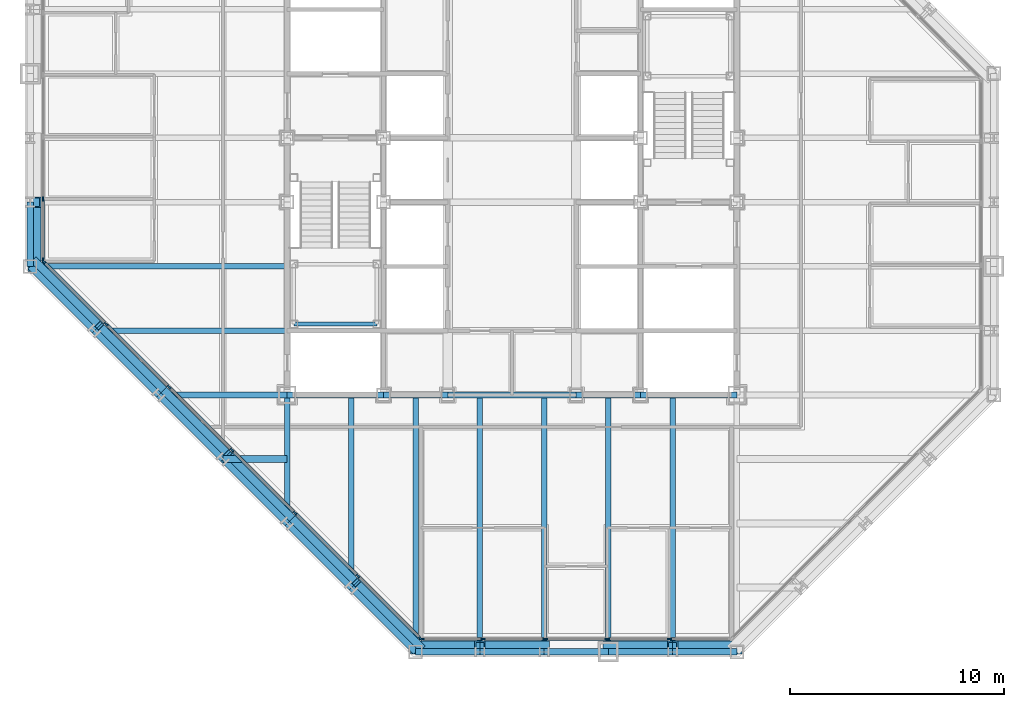
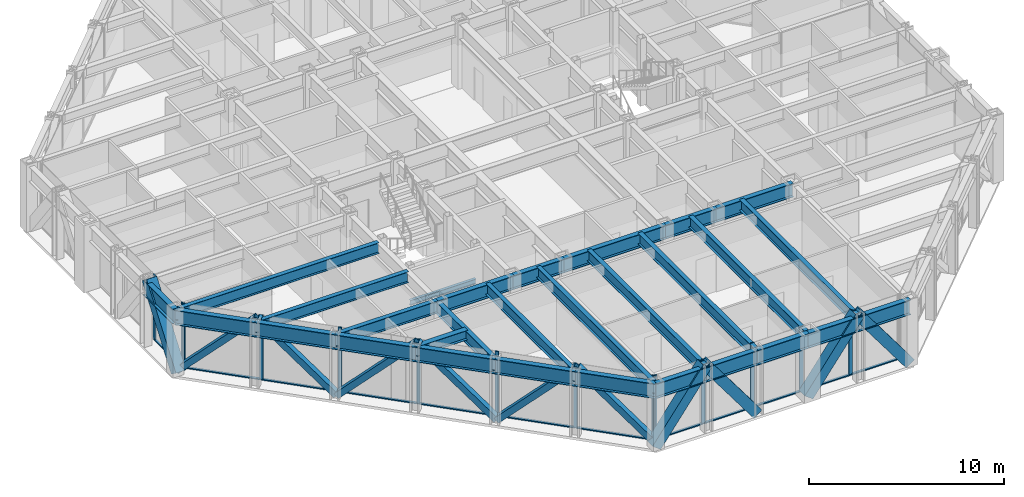
# One storey, part 4 of 15: 37 members, 29 beams, 3 elements without a shape of their own.
"""IFC4 building model written with IfcOpenShell, lengths in metres."""

from ifc_helpers import new_model, si_unit, direction, frame, origin, origin_2d, place, context, subcontext, project, spatial, rectangle, hollow_rectangle, i_section, extrude, material, layer, layer_set, material_profile, profile_set, type_object, element, aggregate, save


model = new_model("IFC4")

# Units and contexts
model_context = context("Model", 3, precision=1e-05, world=origin(), true_north=direction((0.0, 1.0)))
body_context = subcontext(model_context, "Body", "Model", "MODEL_VIEW")
ifc_project = project(units=[si_unit("LENGTHUNIT", "METRE"), si_unit("AREAUNIT", "SQUARE_METRE"), si_unit("VOLUMEUNIT", "CUBIC_METRE"), si_unit("PLANEANGLEUNIT", "RADIAN"), si_unit("MASSUNIT", "GRAM", prefix="KILO")], contexts=[model_context])

# Site, building, storey
site_placement = place(None, origin())
site = spatial("IfcSite", under=ifc_project, at=site_placement, CompositionType="ELEMENT")
building_placement = place(site_placement, origin())
building = spatial("IfcBuilding", under=site, at=building_placement, Name="Chuquiago Exchange Tower", CompositionType="ELEMENT")
storey_placement = place(building_placement, frame((0.0, 0.0, 197.10009765625)))
storey = spatial("IfcBuildingStorey", under=building, at=storey_placement, Name="L43", CompositionType="ELEMENT", Elevation=197.10009765625)

# Beams
ifc_material_1 = material(Name="Steel ASTM A992", Category="steel")
ifc_material_profile_1 = material_profile(ifc_material_1, i_section(OverallWidth=0.25390625, OverallDepth=0.683349609375, WebThickness=0.012451171875, FlangeThickness=0.018798828125, at=origin_2d()), Name="W27X94")
ifc_profile_set_1 = profile_set([ifc_material_profile_1], Name="Steel ASTM A992")
beam_type_1 = type_object("IfcBeamType", Name="B1 W27X94", PredefinedType="BEAM", material=ifc_profile_set_1)
beam_1_placement = place(storey_placement, frame((15.0, 12.0, 3.6982421875), z_axis=(0.0, -1.0, 0.0), x_axis=(1.0, 0.0, 0.0)))
element("IfcBeam", 1, at=beam_1_placement, inside=storey, type_object=beam_type_1, Name="FB-L44-infill-15_12-15_3-0", PredefinedType="BEAM", context=body_context, shape_type="SweptSolid", body=[
    extrude(i_section(OverallWidth=0.25390625, OverallDepth=0.683349609375, WebThickness=0.012451171875, FlangeThickness=0.018798828125, at=origin_2d()), origin(), (0.0, 0.0, 1.0), 9.0),
])
for number, where, z_axis, x_axis, name in (
    (2, (18.0, 12.0, 3.6982421875), (0.0, -1.0, 0.0), (1.0, 0.0, 0.0), "FB-L44-infill-18_12-18_-0-0"),
    (3, (21.0, 12.0, 3.6982421875), (0.0, -1.0, 0.0), (1.0, 0.0, 0.0), "FB-L44-infill-21_12-21_-0-0"),
    (4, (24.0, 12.0, 3.6982421875), (0.0, -1.0, 0.0), (1.0, 0.0, 0.0), "FB-L44-infill-24_12-24_-0-0"),
    (5, (27.0, 12.0, 3.6982421875), (0.0, -1.0, 0.0), (1.0, 0.0, 0.0), "FB-L44-infill-27_12-27_-0-0"),
    (6, (30.0, 12.0, 3.6982421875), (0.0, -1.0, 0.0), (1.0, 0.0, 0.0), "FB-L44-infill-30_12-30_-0-0"),
):
    element("IfcBeam", number, at=place(storey_placement, frame(where, z_axis=z_axis, x_axis=x_axis)), inside=storey, type_object=beam_type_1, Name=name, PredefinedType="BEAM", context=body_context, shape_type="SweptSolid", body=[
        extrude(i_section(OverallWidth=0.25390625, OverallDepth=0.683349609375, WebThickness=0.012451171875, FlangeThickness=0.018798828125, at=origin_2d()), origin(), (0.0, 0.0, 1.0), 12.0),
    ])
beam_2_placement = place(storey_placement, frame((12.0, 15.0, 3.6982421875), z_axis=(-1.0, 0.0, 0.0), x_axis=(0.0, -1.0, 0.0)))
element("IfcBeam", 7, at=beam_2_placement, inside=storey, type_object=beam_type_1, Name="FB-L44-infill-12_15-3_15-0", PredefinedType="BEAM", context=body_context, shape_type="SweptSolid", body=[
    extrude(i_section(OverallWidth=0.25390625, OverallDepth=0.683349609375, WebThickness=0.012451171875, FlangeThickness=0.018798828125, at=origin_2d()), origin(), (0.0, 0.0, 1.0), 9.0),
])
beam_3_placement = place(storey_placement, frame((12.0, 18.0, 3.6982421875), z_axis=(-1.0, 0.0, 0.0), x_axis=(0.0, -1.0, 0.0)))
element("IfcBeam", 8, at=beam_3_placement, inside=storey, type_object=beam_type_1, Name="FB-L44-infill-12_18--0_18-0", PredefinedType="BEAM", context=body_context, shape_type="SweptSolid", body=[
    extrude(i_section(OverallWidth=0.25390625, OverallDepth=0.683349609375, WebThickness=0.012451171875, FlangeThickness=0.018798828125, at=origin_2d()), origin(), (0.0, 0.0, 1.0), 12.0),
])
ifc_material_2 = material(Name="Steel ASTM A992", Category="steel")
ifc_material_profile_2 = material_profile(ifc_material_2, i_section(OverallWidth=0.3251953125, OverallDepth=0.612060546875, WebThickness=0.0126953125, FlangeThickness=0.01904296875, at=origin_2d()), Name="W24X104")
ifc_profile_set_2 = profile_set([ifc_material_profile_2], Name="Steel ASTM A992")
beam_type_2 = type_object("IfcBeamType", Name="B2 W24X104", PredefinedType="BEAM", material=ifc_profile_set_2)
beam_4_placement = place(storey_placement, frame((12.0, 9.0, 3.73388671875), z_axis=(-1.0, 0.0, 0.0), x_axis=(0.0, -1.0, 0.0)))
element("IfcBeam", 9, at=beam_4_placement, inside=storey, type_object=beam_type_2, Name="FB-L44-corner-12_9-9_9-0", PredefinedType="BEAM", context=body_context, shape_type="SweptSolid", body=[
    extrude(i_section(OverallWidth=0.3251953125, OverallDepth=0.612060546875, WebThickness=0.0126953125, FlangeThickness=0.01904296875, at=origin_2d()), origin(), (0.0, 0.0, 1.0), 3.0),
])
ifc_material_3 = material(Name="Steel ASTM A992", Category="steel")
ifc_material_profile_3 = material_profile(ifc_material_3, i_section(OverallWidth=0.2919921875, OverallDepth=0.8583984375, WebThickness=0.01708984375, FlangeThickness=0.031005859375, at=origin_2d()), Name="W33X169")
ifc_profile_set_3 = profile_set([ifc_material_profile_3], Name="Steel ASTM A992")
beam_type_3 = type_object("IfcBeamType", Name="B3 W33X169", PredefinedType="BEAM", material=ifc_profile_set_3)
beam_5_placement = place(storey_placement, frame((12.0, 12.0, 3.610595703125), z_axis=(1.0, 0.0, 0.0), x_axis=(0.0, 1.0, 0.0)))
element("IfcBeam", 10, at=beam_5_placement, inside=storey, type_object=beam_type_3, Name="CB-L44-12_12-16.5_12", PredefinedType="BEAM", context=body_context, shape_type="SweptSolid", body=[
    extrude(i_section(OverallWidth=0.2919921875, OverallDepth=0.8583984375, WebThickness=0.01708984375, FlangeThickness=0.031005859375, at=origin_2d()), origin(), (0.0, 0.0, 1.0), 4.5),
])
beam_6_placement = place(storey_placement, frame((16.5, 12.0, 3.610595703125), z_axis=(1.0, 0.0, 0.0), x_axis=(0.0, 1.0, 0.0)))
element("IfcBeam", 11, at=beam_6_placement, inside=storey, type_object=beam_type_3, Name="CB-L44-16.5_12-19.5_12", PredefinedType="BEAM", context=body_context, shape_type="SweptSolid", body=[
    extrude(i_section(OverallWidth=0.2919921875, OverallDepth=0.8583984375, WebThickness=0.01708984375, FlangeThickness=0.031005859375, at=origin_2d()), origin(), (0.0, 0.0, 1.0), 3.0),
])
beam_7_placement = place(storey_placement, frame((19.5, 12.0, 3.610595703125), z_axis=(1.0, 0.0, 0.0), x_axis=(0.0, 1.0, 0.0)))
element("IfcBeam", 12, at=beam_7_placement, inside=storey, type_object=beam_type_3, Name="CB-L44-19.5_12-25.5_12", PredefinedType="BEAM", context=body_context, shape_type="SweptSolid", body=[
    extrude(i_section(OverallWidth=0.2919921875, OverallDepth=0.8583984375, WebThickness=0.01708984375, FlangeThickness=0.031005859375, at=origin_2d()), origin(), (0.0, 0.0, 1.0), 6.0),
])
beam_8_placement = place(storey_placement, frame((25.5, 12.0, 3.610595703125), z_axis=(1.0, 0.0, 0.0), x_axis=(0.0, 1.0, 0.0)))
element("IfcBeam", 13, at=beam_8_placement, inside=storey, type_object=beam_type_3, Name="CB-L44-25.5_12-28.5_12", PredefinedType="BEAM", context=body_context, shape_type="SweptSolid", body=[
    extrude(i_section(OverallWidth=0.2919921875, OverallDepth=0.8583984375, WebThickness=0.01708984375, FlangeThickness=0.031005859375, at=origin_2d()), origin(), (0.0, 0.0, 1.0), 3.0),
])
beam_9_placement = place(storey_placement, frame((28.5, 12.0, 3.610595703125), z_axis=(1.0, 0.0, 0.0), x_axis=(0.0, 1.0, 0.0)))
element("IfcBeam", 14, at=beam_9_placement, inside=storey, type_object=beam_type_3, Name="CB-L44-28.5_12-33_12", PredefinedType="BEAM", context=body_context, shape_type="SweptSolid", body=[
    extrude(i_section(OverallWidth=0.2919921875, OverallDepth=0.8583984375, WebThickness=0.01708984375, FlangeThickness=0.031005859375, at=origin_2d()), origin(), (0.0, 0.0, 1.0), 4.5),
])

# Curtain wall, members
ifc_material_4 = material(Name="Aluminium curtain wall system", Category="aluminium")
ifc_layer_1 = layer(ifc_material_4, 0.22509765625)
ifc_layer_set_1 = layer_set([ifc_layer_1], Name="CW2 office curtain wall")
curtain_wall_type_1 = type_object("IfcCurtainWallType", Name="CW2 office curtain wall", PredefinedType="NOTDEFINED", material=ifc_layer_set_1)
curtain_wall_1_placement = place(storey_placement, origin())
curtain_wall_1 = element("IfcCurtainWall", 15, at=curtain_wall_1_placement, inside=storey, type_object=curtain_wall_type_1, Name="CW2 curtain wall L43", PredefinedType="NOTDEFINED")
ifc_material_5 = material(Name="Aluminium mullion, pale anodised", Category="aluminium")
ifc_material_profile_4 = material_profile(ifc_material_5, rectangle(XDim=0.06494140625, YDim=0.22509765625, at=origin_2d()), Name="AL 65x225")
ifc_profile_set_4 = profile_set([ifc_material_profile_4], Name="Aluminium mullion, pale anodised")
member_type_1 = type_object("IfcMemberType", Name="CW2-M mullion 65x225", PredefinedType="MULLION", material=ifc_profile_set_4)
member_1_placement = place(storey_placement, frame((18.281005859375, 0.60009765625, 0.0), z_axis=(0.0, 0.0, 1.0), x_axis=(0.0, 1.0, 0.0)))
member_1 = element("IfcMember", 16, at=member_1_placement, type_object=member_type_1, Name="CW2 mullion 1", PredefinedType="MULLION", context=body_context, shape_type="SweptSolid", body=[
    extrude(rectangle(XDim=0.06494140625, YDim=0.22509765625, at=origin_2d()), origin(), (0.0, 0.0, 1.0), 4.039794921875),
])
member_2_placement = place(storey_placement, frame((21.149169921875, 0.60009765625, 0.0), z_axis=(0.0, 0.0, 1.0), x_axis=(0.0, 1.0, 0.0)))
member_2 = element("IfcMember", 17, at=member_2_placement, type_object=member_type_1, Name="CW2 mullion 2", PredefinedType="MULLION", context=body_context, shape_type="SweptSolid", body=[
    extrude(rectangle(XDim=0.06494140625, YDim=0.22509765625, at=origin_2d()), origin(), (0.0, 0.0, 1.0), 4.039794921875),
])
member_3_placement = place(storey_placement, frame((24.0498046875, 0.60009765625, 0.0), z_axis=(0.0, 0.0, 1.0), x_axis=(0.0, 1.0, 0.0)))
member_3 = element("IfcMember", 18, at=member_3_placement, type_object=member_type_1, Name="CW2 mullion 3", PredefinedType="MULLION", context=body_context, shape_type="SweptSolid", body=[
    extrude(rectangle(XDim=0.06494140625, YDim=0.22509765625, at=origin_2d()), origin(), (0.0, 0.0, 1.0), 4.039794921875),
])
member_4_placement = place(storey_placement, frame((26.9501953125, 0.60009765625, 0.0), z_axis=(0.0, 0.0, 1.0), x_axis=(0.0, 1.0, 0.0)))
member_4 = element("IfcMember", 19, at=member_4_placement, type_object=member_type_1, Name="CW2 mullion 4", PredefinedType="MULLION", context=body_context, shape_type="SweptSolid", body=[
    extrude(rectangle(XDim=0.06494140625, YDim=0.22509765625, at=origin_2d()), origin(), (0.0, 0.0, 1.0), 4.039794921875),
])
member_5_placement = place(storey_placement, frame((29.850830078125, 0.60009765625, 0.0), z_axis=(0.0, 0.0, 1.0), x_axis=(0.0, 1.0, 0.0)))
member_5 = element("IfcMember", 20, at=member_5_placement, type_object=member_type_1, Name="CW2 mullion 5", PredefinedType="MULLION", context=body_context, shape_type="SweptSolid", body=[
    extrude(rectangle(XDim=0.06494140625, YDim=0.22509765625, at=origin_2d()), origin(), (0.0, 0.0, 1.0), 4.039794921875),
])

curtain_wall_2_placement = place(storey_placement, origin())
curtain_wall_2 = element("IfcCurtainWall", 21, at=curtain_wall_2_placement, inside=storey, type_object=curtain_wall_type_1, Name="CW2 curtain wall L43", PredefinedType="NOTDEFINED")
member_6_placement = place(storey_placement, frame((0.60009765625, 21.149169921875, 0.0), z_axis=(0.0, 0.0, 1.0), x_axis=(1.0, 0.0, 0.0)))
member_6 = element("IfcMember", 22, at=member_6_placement, type_object=member_type_1, Name="CW2 mullion 5", PredefinedType="MULLION", context=body_context, shape_type="SweptSolid", body=[
    extrude(rectangle(XDim=0.06494140625, YDim=0.22509765625, at=origin_2d()), origin(), (0.0, 0.0, 1.0), 4.039794921875),
])
member_7_placement = place(storey_placement, frame((0.60009765625, 18.281005859375, 0.0), z_axis=(0.0, 0.0, 1.0), x_axis=(1.0, 0.0, 0.0)))
member_7 = element("IfcMember", 23, at=member_7_placement, type_object=member_type_1, Name="CW2 mullion 6", PredefinedType="MULLION", context=body_context, shape_type="SweptSolid", body=[
    extrude(rectangle(XDim=0.06494140625, YDim=0.22509765625, at=origin_2d()), origin(), (0.0, 0.0, 1.0), 4.039794921875),
])

# Member
ifc_material_6 = material(Name="Aluminium transom, pale anodised", Category="aluminium")
ifc_material_profile_5 = material_profile(ifc_material_6, rectangle(XDim=0.139892578125, YDim=0.06494140625, at=origin_2d()), Name="AL 140x65")
ifc_profile_set_5 = profile_set([ifc_material_profile_5], Name="Aluminium transom, pale anodised")
member_type_2 = type_object("IfcMemberType", Name="CW2-T transom 65x140", PredefinedType="MULLION", material=ifc_profile_set_5)
member_8_placement = place(storey_placement, frame((18.3134765625, 0.60009765625, 0.032470703125), z_axis=(1.0, 0.0, 0.0), x_axis=(0.0, 1.0, 0.0)))
member_8 = element("IfcMember", 24, at=member_8_placement, type_object=member_type_2, Name="CW2 transom 1.1", PredefinedType="MULLION", context=body_context, shape_type="SweptSolid", body=[
    extrude(rectangle(XDim=0.139892578125, YDim=0.06494140625, at=origin_2d()), origin(), (0.0, 0.0, 1.0), 2.80322265625),
])

member_9_placement = place(storey_placement, frame((21.181640625, 0.60009765625, 0.032470703125), z_axis=(1.0, 0.0, 0.0), x_axis=(0.0, 1.0, 0.0)))
member_9 = element("IfcMember", 25, at=member_9_placement, type_object=member_type_2, Name="CW2 transom 2.1", PredefinedType="MULLION", context=body_context, shape_type="SweptSolid", body=[
    extrude(rectangle(XDim=0.139892578125, YDim=0.06494140625, at=origin_2d()), origin(), (0.0, 0.0, 1.0), 2.83544921875),
])

member_10_placement = place(storey_placement, frame((24.082275390625, 0.60009765625, 0.032470703125), z_axis=(1.0, 0.0, 0.0), x_axis=(0.0, 1.0, 0.0)))
member_10 = element("IfcMember", 26, at=member_10_placement, type_object=member_type_2, Name="CW2 transom 3.1", PredefinedType="MULLION", context=body_context, shape_type="SweptSolid", body=[
    extrude(rectangle(XDim=0.139892578125, YDim=0.06494140625, at=origin_2d()), origin(), (0.0, 0.0, 1.0), 2.83544921875),
])

member_11_placement = place(storey_placement, frame((26.98291015625, 0.60009765625, 0.032470703125), z_axis=(1.0, 0.0, 0.0), x_axis=(0.0, 1.0, 0.0)))
member_11 = element("IfcMember", 27, at=member_11_placement, type_object=member_type_2, Name="CW2 transom 4.1", PredefinedType="MULLION", context=body_context, shape_type="SweptSolid", body=[
    extrude(rectangle(XDim=0.139892578125, YDim=0.06494140625, at=origin_2d()), origin(), (0.0, 0.0, 1.0), 2.83544921875),
])

member_12_placement = place(storey_placement, frame((29.88330078125, 0.60009765625, 0.032470703125), z_axis=(1.0, 0.0, 0.0), x_axis=(0.0, 1.0, 0.0)))
member_12 = element("IfcMember", 28, at=member_12_placement, type_object=member_type_2, Name="CW2 transom 5.1", PredefinedType="MULLION", context=body_context, shape_type="SweptSolid", body=[
    extrude(rectangle(XDim=0.139892578125, YDim=0.06494140625, at=origin_2d()), origin(), (0.0, 0.0, 1.0), 2.80322265625),
])

aggregate(curtain_wall_1, [member_1, member_2, member_3, member_4, member_5, member_8, member_9, member_10, member_11, member_12])

member_13_placement = place(storey_placement, frame((0.60009765625, 21.11669921875, 0.032470703125), z_axis=(0.0, -1.0, 0.0), x_axis=(1.0, 0.0, 0.0)))
member_13 = element("IfcMember", 29, at=member_13_placement, type_object=member_type_2, Name="CW2 transom 5.1", PredefinedType="MULLION", context=body_context, shape_type="SweptSolid", body=[
    extrude(rectangle(XDim=0.139892578125, YDim=0.06494140625, at=origin_2d()), origin(), (0.0, 0.0, 1.0), 2.80322265625),
])

aggregate(curtain_wall_2, [member_6, member_7, member_13])

# Curtain wall, members
ifc_material_7 = material(Name="Aluminium curtain wall system", Category="aluminium")
ifc_layer_2 = layer(ifc_material_7, 0.199951171875)
ifc_layer_set_2 = layer_set([ifc_layer_2], Name="CW3 facet curtain wall")
curtain_wall_type_2 = type_object("IfcCurtainWallType", Name="CW3 facet curtain wall", PredefinedType="NOTDEFINED", material=ifc_layer_set_2)
curtain_wall_3_placement = place(storey_placement, origin())
curtain_wall_3 = element("IfcCurtainWall", 30, at=curtain_wall_3_placement, inside=storey, type_object=curtain_wall_type_2, Name="CW3 curtain wall L43", PredefinedType="NOTDEFINED")
ifc_material_8 = material(Name="Aluminium mullion, pale anodised", Category="aluminium")
ifc_material_profile_6 = material_profile(ifc_material_8, rectangle(XDim=0.06494140625, YDim=0.199951171875, at=origin_2d()), Name="AL 65x200")
ifc_profile_set_6 = profile_set([ifc_material_profile_6], Name="Aluminium mullion, pale anodised")
member_type_3 = type_object("IfcMemberType", Name="CW3-M mullion 65x200", PredefinedType="MULLION", material=ifc_profile_set_6)
member_14_placement = place(storey_placement, frame((0.623046875, 18.2255859375, 0.0), z_axis=(0.0, 0.0, 1.0), x_axis=(0.707106781187, 0.707106781187, 0.0)))
member_14 = element("IfcMember", 31, at=member_14_placement, type_object=member_type_3, Name="CW3 mullion 1", PredefinedType="MULLION", context=body_context, shape_type="SweptSolid", body=[
    extrude(rectangle(XDim=0.06494140625, YDim=0.199951171875, at=origin_2d()), origin(), (0.0, 0.0, 1.0), 4.039794921875),
])
member_15_placement = place(storey_placement, frame((3.54150390625, 15.30712890625, 0.0), z_axis=(0.0, 0.0, 1.0), x_axis=(0.707106781187, 0.707106781187, 0.0)))
member_15 = element("IfcMember", 32, at=member_15_placement, type_object=member_type_3, Name="CW3 mullion 2", PredefinedType="MULLION", context=body_context, shape_type="SweptSolid", body=[
    extrude(rectangle(XDim=0.06494140625, YDim=0.199951171875, at=origin_2d()), origin(), (0.0, 0.0, 1.0), 4.039794921875),
])
member_16_placement = place(storey_placement, frame((6.48291015625, 12.36572265625, 0.0), z_axis=(0.0, 0.0, 1.0), x_axis=(0.707106781187, 0.707106781187, 0.0)))
member_16 = element("IfcMember", 33, at=member_16_placement, type_object=member_type_3, Name="CW3 mullion 3", PredefinedType="MULLION", context=body_context, shape_type="SweptSolid", body=[
    extrude(rectangle(XDim=0.06494140625, YDim=0.199951171875, at=origin_2d()), origin(), (0.0, 0.0, 1.0), 4.039794921875),
])
member_17_placement = place(storey_placement, frame((9.42431640625, 9.42431640625, 0.0), z_axis=(0.0, 0.0, 1.0), x_axis=(0.707106781187, 0.707106781187, 0.0)))
member_17 = element("IfcMember", 34, at=member_17_placement, type_object=member_type_3, Name="CW3 mullion 4", PredefinedType="MULLION", context=body_context, shape_type="SweptSolid", body=[
    extrude(rectangle(XDim=0.06494140625, YDim=0.199951171875, at=origin_2d()), origin(), (0.0, 0.0, 1.0), 4.039794921875),
])
member_18_placement = place(storey_placement, frame((12.36572265625, 6.48291015625, 0.0), z_axis=(0.0, 0.0, 1.0), x_axis=(0.707106781187, 0.707106781187, 0.0)))
member_18 = element("IfcMember", 35, at=member_18_placement, type_object=member_type_3, Name="CW3 mullion 5", PredefinedType="MULLION", context=body_context, shape_type="SweptSolid", body=[
    extrude(rectangle(XDim=0.06494140625, YDim=0.199951171875, at=origin_2d()), origin(), (0.0, 0.0, 1.0), 4.039794921875),
])
member_19_placement = place(storey_placement, frame((15.30712890625, 3.54150390625, 0.0), z_axis=(0.0, 0.0, 1.0), x_axis=(0.707106781187, 0.707106781187, 0.0)))
member_19 = element("IfcMember", 36, at=member_19_placement, type_object=member_type_3, Name="CW3 mullion 6", PredefinedType="MULLION", context=body_context, shape_type="SweptSolid", body=[
    extrude(rectangle(XDim=0.06494140625, YDim=0.199951171875, at=origin_2d()), origin(), (0.0, 0.0, 1.0), 4.039794921875),
])
member_20_placement = place(storey_placement, frame((18.2255859375, 0.623046875, 0.0), z_axis=(0.0, 0.0, 1.0), x_axis=(0.707106781187, 0.707106781187, 0.0)))
member_20 = element("IfcMember", 37, at=member_20_placement, type_object=member_type_3, Name="CW3 mullion 7", PredefinedType="MULLION", context=body_context, shape_type="SweptSolid", body=[
    extrude(rectangle(XDim=0.06494140625, YDim=0.199951171875, at=origin_2d()), origin(), (0.0, 0.0, 1.0), 4.039794921875),
])
ifc_material_9 = material(Name="Aluminium transom, pale anodised", Category="aluminium")
ifc_material_profile_7 = material_profile(ifc_material_9, rectangle(XDim=0.139892578125, YDim=0.06494140625, at=origin_2d()), Name="AL 140x65")
ifc_profile_set_7 = profile_set([ifc_material_profile_7], Name="Aluminium transom, pale anodised")
member_type_4 = type_object("IfcMemberType", Name="CW3-T transom 65x140", PredefinedType="MULLION", material=ifc_profile_set_7)
member_21_placement = place(storey_placement, frame((0.64599609375, 18.20263671875, 0.032470703125), z_axis=(0.707106781187, -0.707106781187, 0.0), x_axis=(0.707106781187, 0.707106781187, 0.0)))
member_21 = element("IfcMember", 38, at=member_21_placement, type_object=member_type_4, Name="CW3 transom 1.1", PredefinedType="MULLION", context=body_context, shape_type="SweptSolid", body=[
    extrude(rectangle(XDim=0.139892578125, YDim=0.06494140625, at=origin_2d()), origin(), (0.0, 0.0, 1.0), 4.0625),
])
member_22_placement = place(storey_placement, frame((3.564453125, 15.2841796875, 0.032470703125), z_axis=(0.707106781187, -0.707106781187, 0.0), x_axis=(0.707106781187, 0.707106781187, 0.0)))
member_22 = element("IfcMember", 39, at=member_22_placement, type_object=member_type_4, Name="CW3 transom 2.1", PredefinedType="MULLION", context=body_context, shape_type="SweptSolid", body=[
    extrude(rectangle(XDim=0.139892578125, YDim=0.06494140625, at=origin_2d()), origin(), (0.0, 0.0, 1.0), 4.094970703125),
])
member_23_placement = place(storey_placement, frame((6.505859375, 12.3427734375, 0.032470703125), z_axis=(0.707106781187, -0.707106781187, 0.0), x_axis=(0.707106781187, 0.707106781187, 0.0)))
member_23 = element("IfcMember", 40, at=member_23_placement, type_object=member_type_4, Name="CW3 transom 3.1", PredefinedType="MULLION", context=body_context, shape_type="SweptSolid", body=[
    extrude(rectangle(XDim=0.139892578125, YDim=0.06494140625, at=origin_2d()), origin(), (0.0, 0.0, 1.0), 4.094970703125),
])
member_24_placement = place(storey_placement, frame((9.447265625, 9.4013671875, 0.032470703125), z_axis=(0.707106781187, -0.707106781187, 0.0), x_axis=(0.707106781187, 0.707106781187, 0.0)))
member_24 = element("IfcMember", 41, at=member_24_placement, type_object=member_type_4, Name="CW3 transom 4.1", PredefinedType="MULLION", context=body_context, shape_type="SweptSolid", body=[
    extrude(rectangle(XDim=0.139892578125, YDim=0.06494140625, at=origin_2d()), origin(), (0.0, 0.0, 1.0), 4.094970703125),
])
member_25_placement = place(storey_placement, frame((12.388671875, 6.4599609375, 0.032470703125), z_axis=(0.707106781187, -0.707106781187, 0.0), x_axis=(0.707106781187, 0.707106781187, 0.0)))
member_25 = element("IfcMember", 42, at=member_25_placement, type_object=member_type_4, Name="CW3 transom 5.1", PredefinedType="MULLION", context=body_context, shape_type="SweptSolid", body=[
    extrude(rectangle(XDim=0.139892578125, YDim=0.06494140625, at=origin_2d()), origin(), (0.0, 0.0, 1.0), 4.094970703125),
])
member_26_placement = place(storey_placement, frame((15.330078125, 3.5185546875, 0.032470703125), z_axis=(0.707106781187, -0.707106781187, 0.0), x_axis=(0.707106781187, 0.707106781187, 0.0)))
member_26 = element("IfcMember", 43, at=member_26_placement, type_object=member_type_4, Name="CW3 transom 6.1", PredefinedType="MULLION", context=body_context, shape_type="SweptSolid", body=[
    extrude(rectangle(XDim=0.139892578125, YDim=0.06494140625, at=origin_2d()), origin(), (0.0, 0.0, 1.0), 4.0625),
])
aggregate(curtain_wall_3, [member_14, member_15, member_16, member_17, member_18, member_19, member_20, member_21, member_22, member_23, member_24, member_25, member_26])

# Beams
ifc_material_10 = material(Name="Steel ASTM A992", Category="steel")
ifc_material_profile_8 = material_profile(ifc_material_10, i_section(OverallWidth=0.2666015625, OverallDepth=0.76953125, WebThickness=0.015625, FlangeThickness=0.025390625, at=origin_2d()), Name="W30X132")
ifc_profile_set_8 = profile_set([ifc_material_profile_8], Name="Steel ASTM A992")
beam_type_4 = type_object("IfcBeamType", Name="G1 W30X132", PredefinedType="BEAM", material=ifc_profile_set_8)
for number, where, z_axis, x_axis, name in (
    (44, (12.0, 12.0, 3.655029296875), (0.0, -1.0, 0.0), (1.0, 0.0, 0.0), "FB-L44-girder-12_12-12_6-0"),
    (45, (12.0, 12.0, 3.655029296875), (-1.0, 0.0, 0.0), (0.0, -1.0, 0.0), "FB-L44-girder-12_12-6_12-0"),
):
    element("IfcBeam", number, at=place(storey_placement, frame(where, z_axis=z_axis, x_axis=x_axis)), inside=storey, type_object=beam_type_4, Name=name, PredefinedType="BEAM", context=body_context, shape_type="SweptSolid", body=[
        extrude(i_section(OverallWidth=0.2666015625, OverallDepth=0.76953125, WebThickness=0.015625, FlangeThickness=0.025390625, at=origin_2d()), origin(), (0.0, 0.0, 1.0), 6.0),
    ])

# Members
ifc_material_11 = material(Name="Steel ASTM A500 Grade C", Category="steel")
ifc_material_profile_9 = material_profile(ifc_material_11, hollow_rectangle(XDim=0.355712890625, YDim=0.355712890625, WallThickness=0.0146484375, at=origin_2d()), Name="HSS14X14X5/8")
ifc_profile_set_9 = profile_set([ifc_material_profile_9], Name="Steel ASTM A500 Grade C")
member_type_5 = type_object("IfcMemberType", Name="LB2 HSS14X14X5/8", PredefinedType="BRACE", material=ifc_profile_set_9)
for number, where, z_axis, x_axis, name in (
    (46, (0.2314453125, 18.2314453125, 0.0), (0.51209198167, -0.51209198167, 0.689582195694), (0.707106781187, 0.707106781187, 0.0), "LB-L43-0_18-3_15"),
    (47, (6.2314453125, 12.2314453125, 0.0), (-0.51209198167, 0.51209198167, 0.689582195694), (-0.707106781187, -0.707106781187, 0.0), "LB-L43-3_15-6_12"),
    (48, (6.2314453125, 12.2314453125, 0.0), (0.51209198167, -0.51209198167, 0.689582195694), (0.707106781187, 0.707106781187, 0.0), "LB-L43-6_12-9_9"),
    (49, (12.2314453125, 6.2314453125, 0.0), (-0.51209198167, 0.51209198167, 0.689582195694), (-0.707106781187, -0.707106781187, 0.0), "LB-L43-9_9-12_6"),
    (50, (12.2314453125, 6.2314453125, 0.0), (0.51209198167, -0.51209198167, 0.689582195694), (0.707106781187, 0.707106781187, 0.0), "LB-L43-12_6-15_3"),
    (51, (18.2314453125, 0.2314453125, 0.0), (-0.51209198167, 0.51209198167, 0.689582195694), (-0.707106781187, -0.707106781187, 0.0), "LB-L43-15_3-18_0"),
):
    element("IfcMember", number, at=place(storey_placement, frame(where, z_axis=z_axis, x_axis=x_axis)), inside=storey, type_object=member_type_5, Name=name, PredefinedType="BRACE", context=body_context, shape_type="SweptSolid", body=[
        extrude(hollow_rectangle(XDim=0.355712890625, YDim=0.355712890625, WallThickness=0.0146484375, at=origin_2d()), origin(), (0.0, 0.0, 1.0), 5.8583984375),
    ])

# Beam
ifc_material_12 = material(Name="Steel ASTM A992", Category="steel")
ifc_material_profile_10 = material_profile(ifc_material_12, i_section(OverallWidth=0.164794921875, OverallDepth=0.309814453125, WebThickness=0.005859375, FlangeThickness=0.009765625, at=origin_2d()), Name="W12X26")
ifc_profile_set_10 = profile_set([ifc_material_profile_10], Name="Steel ASTM A992")
beam_type_5 = type_object("IfcBeamType", Name="LT1 W12X26", PredefinedType="BEAM", material=ifc_profile_set_10)
beam_10_placement = place(storey_placement, frame((12.31005859375, 15.31005859375, 1.7451171875), z_axis=(1.0, 0.0, 0.0), x_axis=(0.0, 1.0, 0.0)))
element("IfcBeam", 52, at=beam_10_placement, inside=storey, type_object=beam_type_5, Name="Stair ST1 L43 landing 1 trimmer", PredefinedType="BEAM", context=body_context, shape_type="SweptSolid", body=[
    extrude(i_section(OverallWidth=0.164794921875, OverallDepth=0.309814453125, WebThickness=0.005859375, FlangeThickness=0.009765625, at=origin_2d()), origin(), (0.0, 0.0, 1.0), 3.8798828125),
])

# Members
ifc_material_13 = material(Name="Steel ASTM A572 Grade 50", Category="steel")
ifc_material_profile_11 = material_profile(ifc_material_13, hollow_rectangle(XDim=0.60009765625, YDim=0.60009765625, WallThickness=0.06005859375, at=origin_2d()), Name="BOX600X600X60")
ifc_profile_set_11 = profile_set([ifc_material_profile_11], Name="Steel ASTM A572 Grade 50")
member_type_6 = type_object("IfcMemberType", Name="MB3 BOX600X600X60", PredefinedType="BRACE", material=ifc_profile_set_11)
for number, where, z_axis, x_axis, name in (
    (53, (18.0, 0.205078125, 0.0), (0.596197146086, 0.0, 0.802838067732), (0.0, 1.0, 0.0), "Mega diagonal L43 S face"),
    (54, (24.0, 0.205078125, 0.0), (-0.596197146086, 0.0, 0.802838067732), (0.0, -1.0, 0.0), "Mega diagonal L43 S face"),
    (55, (27.0, 0.205078125, 0.0), (0.596197146086, 0.0, 0.802838067732), (0.0, 1.0, 0.0), "Mega diagonal L43 S face"),
    (56, (33.0, 0.205078125, 0.0), (-0.596197146086, 0.0, 0.802838067732), (0.0, -1.0, 0.0), "Mega diagonal L43 S face"),
    (57, (0.205078125, 18.0, 0.0), (0.0, 0.596197146086, 0.802838067732), (-1.0, 0.0, 0.0), "Mega diagonal L43 W face"),
):
    element("IfcMember", number, at=place(storey_placement, frame(where, z_axis=z_axis, x_axis=x_axis)), inside=storey, type_object=member_type_6, Name=name, PredefinedType="BRACE", context=body_context, shape_type="SweptSolid", body=[
        extrude(hollow_rectangle(XDim=0.60009765625, YDim=0.60009765625, WallThickness=0.06005859375, at=origin_2d()), origin(), (0.0, 0.0, 1.0), 5.031982421875),
    ])

# Beams
ifc_material_14 = material(Name="Steel ASTM A992", Category="steel")
ifc_material_profile_12 = material_profile(ifc_material_14, i_section(OverallWidth=0.307373046875, OverallDepth=0.927001953125, WebThickness=0.01953125, FlangeThickness=0.031982421875, at=origin_2d()), Name="W36X194")
ifc_profile_set_12 = profile_set([ifc_material_profile_12], Name="Steel ASTM A992")
beam_type_6 = type_object("IfcBeamType", Name="SP3 W36X194", PredefinedType="SPANDREL", material=ifc_profile_set_12)
for number, where, z_axis, x_axis, name in (
    (58, (18.0, 0.0, 3.576416015625), (1.0, 0.0, 0.0), (0.0, 1.0, 0.0), "SPB-L44-18_0-21_0"),
    (59, (21.0, 0.0, 3.576416015625), (1.0, 0.0, 0.0), (0.0, 1.0, 0.0), "SPB-L44-21_0-24_0"),
    (60, (24.0, 0.0, 3.576416015625), (1.0, 0.0, 0.0), (0.0, 1.0, 0.0), "SPB-L44-24_0-27_0"),
    (61, (27.0, 0.0, 3.576416015625), (1.0, 0.0, 0.0), (0.0, 1.0, 0.0), "SPB-L44-27_0-30_0"),
    (62, (30.0, 0.0, 3.576416015625), (1.0, 0.0, 0.0), (0.0, 1.0, 0.0), "SPB-L44-30_0-33_0"),
    (63, (0.0, 21.0, 3.576416015625), (0.0, -1.0, 0.0), (1.0, 0.0, 0.0), "SPB-L44-0_21-0_18"),
):
    element("IfcBeam", number, at=place(storey_placement, frame(where, z_axis=z_axis, x_axis=x_axis)), inside=storey, type_object=beam_type_6, Name=name, PredefinedType="SPANDREL", context=body_context, shape_type="SweptSolid", body=[
        extrude(i_section(OverallWidth=0.307373046875, OverallDepth=0.927001953125, WebThickness=0.01953125, FlangeThickness=0.031982421875, at=origin_2d()), origin(), (0.0, 0.0, 1.0), 3.0),
    ])
for number, where, z_axis, x_axis, name in (
    (64, (0.0, 18.0, 3.576416015625), (0.707106781187, -0.707106781187, 0.0), (0.707106781187, 0.707106781187, 0.0), "SPB-L44-0_18-3_15"),
    (65, (3.0, 15.0, 3.576416015625), (0.707106781187, -0.707106781187, 0.0), (0.707106781187, 0.707106781187, 0.0), "SPB-L44-3_15-6_12"),
    (66, (6.0, 12.0, 3.576416015625), (0.707106781187, -0.707106781187, 0.0), (0.707106781187, 0.707106781187, 0.0), "SPB-L44-6_12-9_9"),
    (67, (9.0, 9.0, 3.576416015625), (0.707106781187, -0.707106781187, 0.0), (0.707106781187, 0.707106781187, 0.0), "SPB-L44-9_9-12_6"),
    (68, (12.0, 6.0, 3.576416015625), (0.707106781187, -0.707106781187, 0.0), (0.707106781187, 0.707106781187, 0.0), "SPB-L44-12_6-15_3"),
    (69, (15.0, 3.0, 3.576416015625), (0.707106781187, -0.707106781187, 0.0), (0.707106781187, 0.707106781187, 0.0), "SPB-L44-15_3-18_0"),
):
    element("IfcBeam", number, at=place(storey_placement, frame(where, z_axis=z_axis, x_axis=x_axis)), inside=storey, type_object=beam_type_6, Name=name, PredefinedType="SPANDREL", context=body_context, shape_type="SweptSolid", body=[
        extrude(i_section(OverallWidth=0.307373046875, OverallDepth=0.927001953125, WebThickness=0.01953125, FlangeThickness=0.031982421875, at=origin_2d()), origin(), (0.0, 0.0, 1.0), 4.24267578125),
    ])

save(model, "model.ifc")
